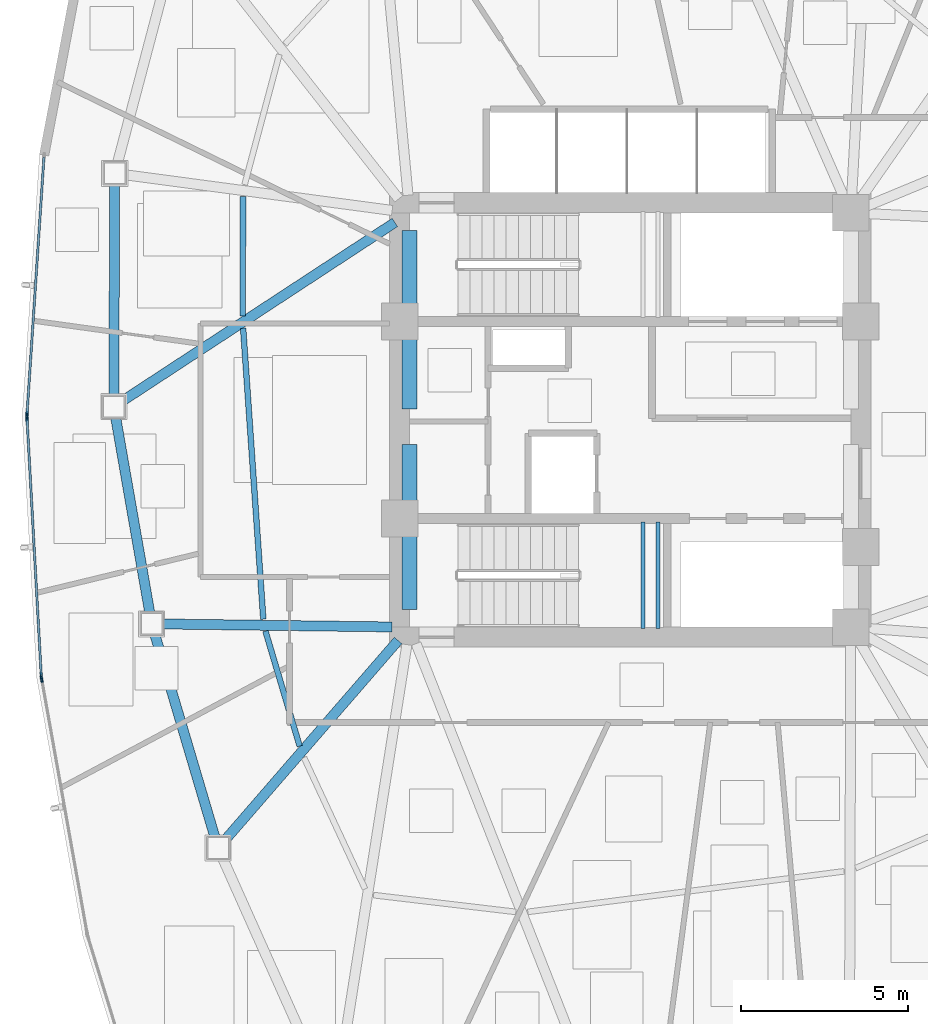
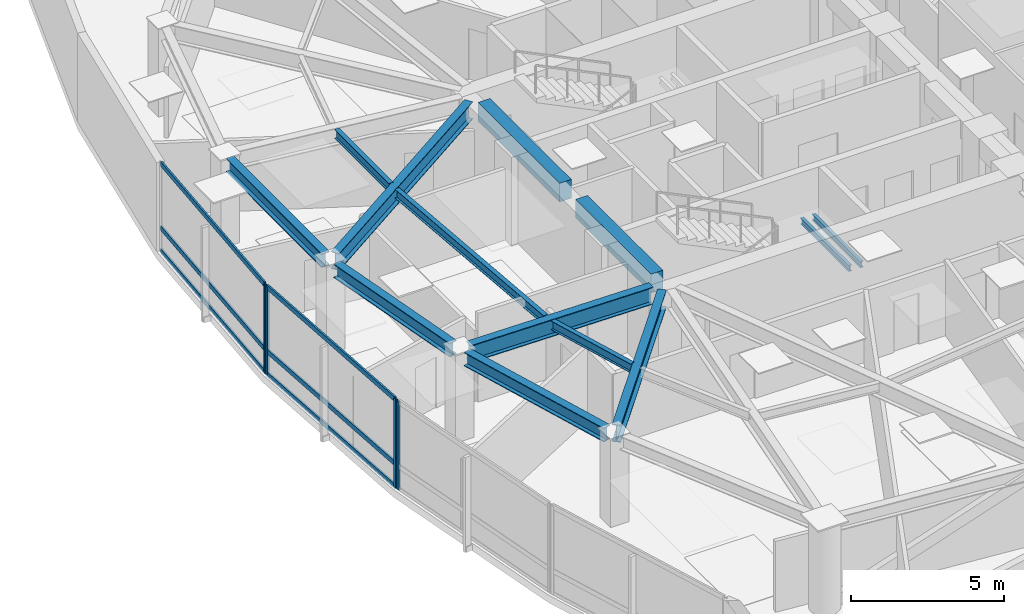
# One storey, part 4 of 18: 13 beams, 10 members, 3 elements without a shape of their own.
"""IFC4 building model written with IfcOpenShell, lengths in metres."""

from ifc_helpers import new_model, si_unit, direction, frame, origin, origin_2d, place, context, subcontext, project, spatial, rectangle, hollow_rectangle, i_section, extrude, source, transform, mapped, material, layer, layer_set, material_profile, profile_set, type_object, type_shapes, element, aggregate, save


model = new_model("IFC4")

# Units and contexts
model_context = context("Model", 3, precision=1e-05, world=origin(), true_north=direction((0.0, 1.0)))
body_context = subcontext(model_context, "Body", "Model", "MODEL_VIEW")
ifc_project = project(units=[si_unit("LENGTHUNIT", "METRE"), si_unit("AREAUNIT", "SQUARE_METRE"), si_unit("VOLUMEUNIT", "CUBIC_METRE"), si_unit("PLANEANGLEUNIT", "RADIAN"), si_unit("MASSUNIT", "GRAM", prefix="KILO")], contexts=[model_context])

# Site, building, storey
site_placement = place(None, origin())
site = spatial("IfcSite", under=ifc_project, at=site_placement, CompositionType="ELEMENT")
building_placement = place(site_placement, origin())
building = spatial("IfcBuilding", under=site, at=building_placement, Name="Tavelor Broadcast Tower", CompositionType="ELEMENT")
storey_placement = place(building_placement, frame((0.0, 0.0, 157.949951171875)))
storey = spatial("IfcBuildingStorey", under=building, at=storey_placement, Name="L37", CompositionType="ELEMENT", Elevation=157.949951171875)

# Beams
ifc_material_1 = material(Name="Concrete C40/50", Category="concrete")
ifc_material_profile_1 = material_profile(ifc_material_1, rectangle(XDim=0.449951171875, YDim=0.75, at=origin_2d()), Name="RC 450x750")
ifc_profile_set_1 = profile_set([ifc_material_profile_1], Name="Concrete C40/50")
beam_type_1 = type_object("IfcBeamType", Name="Basement Core Trim Beam 450x750", PredefinedType="BEAM", material=ifc_profile_set_1)
beam_1_placement = place(storey_placement, frame((43.39990234375, 45.327880859375, 3.175048828125), z_axis=(0.0, 1.0, 0.0), x_axis=(-1.0, 0.0, 0.0)))
element("IfcBeam", 1, at=beam_1_placement, inside=storey, type_object=beam_type_1, Name="L37 Core West-N Tie Girder", PredefinedType="BEAM", context=body_context, shape_type="SweptSolid", body=[
    extrude(rectangle(XDim=0.449951171875, YDim=0.75, at=origin_2d()), origin(), (0.0, 0.0, 1.0), 5.34423828125),
])
beam_2_placement = place(storey_placement, frame((43.39990234375, 39.327880859375, 3.175048828125), z_axis=(0.0, 1.0, 0.0), x_axis=(-1.0, 0.0, 0.0)))
element("IfcBeam", 2, at=beam_2_placement, inside=storey, type_object=beam_type_1, Name="L37 Core West-S Tie Girder", PredefinedType="BEAM", context=body_context, shape_type="SweptSolid", body=[
    extrude(rectangle(XDim=0.449951171875, YDim=0.75, at=origin_2d()), origin(), (0.0, 0.0, 1.0), 4.944091796875),
])
ifc_material_2 = material(Name="Steel S355", Category="steel")
ifc_material_profile_2 = material_profile(ifc_material_2, i_section(OverallWidth=0.169921875, OverallDepth=0.360107421875, WebThickness=0.008056640625, FlangeThickness=0.0126953125, at=origin_2d()), Name="IPE 360")
ifc_profile_set_2 = profile_set([ifc_material_profile_2], Name="Steel S355")
beam_type_2 = type_object("IfcBeamType", Name="Composite Floor Joist T3 IPE 360", PredefinedType="JOIST", material=ifc_profile_set_2)
beam_3_placement = place(storey_placement, frame((38.413818359375, 51.685302734375, 3.3701171875), z_axis=(-0.002320654457, -0.999997307278, 0.0), x_axis=(0.999997307278, -0.002320654457, 0.0)))
element("IfcBeam", 3, at=beam_3_placement, inside=storey, type_object=beam_type_2, Name="L37 Secondary Composite Floor Joist 03", PredefinedType="JOIST", context=body_context, shape_type="SweptSolid", body=[
    extrude(i_section(OverallWidth=0.169921875, OverallDepth=0.360107421875, WebThickness=0.008056640625, FlangeThickness=0.0126953125, at=origin_2d()), origin(), (0.0, 0.0, 1.0), 3.576904296875),
])
beam_4_placement = place(storey_placement, frame((38.41748046875, 47.74658203125, 3.3701171875), z_axis=(0.069100565304, -0.997609699168, 0.0), x_axis=(0.997609699168, 0.069100565304, 0.0)))
element("IfcBeam", 4, at=beam_4_placement, inside=storey, type_object=beam_type_2, Name="L37 Secondary Composite Floor Joist 04", PredefinedType="JOIST", context=body_context, shape_type="SweptSolid", body=[
    extrude(i_section(OverallWidth=0.169921875, OverallDepth=0.360107421875, WebThickness=0.008056640625, FlangeThickness=0.0126953125, at=origin_2d()), origin(), (0.0, 0.0, 1.0), 8.730224609375),
])
beam_5_placement = place(storey_placement, frame((39.084716796875, 38.68310546875, 3.3701171875), z_axis=(0.285203072184, -0.958467113477, 0.0), x_axis=(0.958467113477, 0.285203072184, 0.0)))
element("IfcBeam", 5, at=beam_5_placement, inside=storey, type_object=beam_type_2, Name="L37 Secondary Composite Floor Joist 05", PredefinedType="JOIST", context=body_context, shape_type="SweptSolid", body=[
    extrude(i_section(OverallWidth=0.169921875, OverallDepth=0.360107421875, WebThickness=0.008056640625, FlangeThickness=0.0126953125, at=origin_2d()), origin(), (0.0, 0.0, 1.0), 3.593505859375),
])
ifc_material_profile_3 = material_profile(ifc_material_2, i_section(OverallWidth=0.300048828125, OverallDepth=0.550048828125, WebThickness=0.014892578125, FlangeThickness=0.029052734375, at=origin_2d()), Name="HEB 550")
ifc_profile_set_3 = profile_set([ifc_material_profile_3], Name="Steel S355")
beam_type_3 = type_object("IfcBeamType", Name="Perimeter Spandrel Beam T3 HEB 550", PredefinedType="SPANDREL", material=ifc_profile_set_3)
beam_6_placement = place(storey_placement, frame((34.57373046875, 52.043212890625, 3.275146484375), z_axis=(-0.00410245019, -0.999991584916, 0.0), x_axis=(0.999991584916, -0.00410245019, 0.0)))
element("IfcBeam", 6, at=beam_6_placement, inside=storey, type_object=beam_type_3, Name="L37 Framed-Tube Ring Spandrel 03", PredefinedType="SPANDREL", context=body_context, shape_type="SweptSolid", body=[
    extrude(i_section(OverallWidth=0.300048828125, OverallDepth=0.550048828125, WebThickness=0.014892578125, FlangeThickness=0.029052734375, at=origin_2d()), origin(), (0.0, 0.0, 1.0), 6.30810546875),
])
beam_7_placement = place(storey_placement, frame((34.604248046875, 45.068115234375, 3.275146484375), z_axis=(0.17197754126, -0.985100870623, 0.0), x_axis=(0.985100870623, 0.17197754126, 0.0)))
element("IfcBeam", 7, at=beam_7_placement, inside=storey, type_object=beam_type_3, Name="L37 Framed-Tube Ring Spandrel 04", PredefinedType="SPANDREL", context=body_context, shape_type="SweptSolid", body=[
    extrude(i_section(OverallWidth=0.300048828125, OverallDepth=0.550048828125, WebThickness=0.014892578125, FlangeThickness=0.029052734375, at=origin_2d()), origin(), (0.0, 0.0, 1.0), 5.925537109375),
])
beam_8_placement = place(storey_placement, frame((35.7763671875, 38.57763671875, 3.275146484375), z_axis=(0.283996338182, -0.958825364652, 0.0), x_axis=(0.958825364652, 0.283996338182, 0.0)))
element("IfcBeam", 8, at=beam_8_placement, inside=storey, type_object=beam_type_3, Name="L37 Framed-Tube Ring Spandrel 05", PredefinedType="SPANDREL", context=body_context, shape_type="SweptSolid", body=[
    extrude(i_section(OverallWidth=0.300048828125, OverallDepth=0.550048828125, WebThickness=0.014892578125, FlangeThickness=0.029052734375, at=origin_2d()), origin(), (0.0, 0.0, 1.0), 6.325439453125),
])
ifc_material_profile_4 = material_profile(ifc_material_2, i_section(OverallWidth=0.300048828125, OverallDepth=0.68994140625, WebThickness=0.014404296875, FlangeThickness=0.027099609375, at=origin_2d()), Name="HEA 700")
ifc_profile_set_4 = profile_set([ifc_material_profile_4], Name="Steel S355")
beam_type_4 = type_object("IfcBeamType", Name="Radial Floor Girder T3 HEA 700", PredefinedType="BEAM", material=ifc_profile_set_4)
beam_9_placement = place(storey_placement, frame((42.95849609375, 50.91064453125, 3.205078125), z_axis=(-0.836455571638, -0.548034740391, 0.0), x_axis=(0.548034740391, -0.836455571638, 0.0)))
element("IfcBeam", 9, at=beam_9_placement, inside=storey, type_object=beam_type_4, Name="L37 Radial Primary Floor Girder 04", PredefinedType="BEAM", context=body_context, shape_type="SweptSolid", body=[
    extrude(i_section(OverallWidth=0.300048828125, OverallDepth=0.68994140625, WebThickness=0.014404296875, FlangeThickness=0.027099609375, at=origin_2d()), origin(), (0.0, 0.0, 1.0), 9.720947265625),
])
beam_10_placement = place(storey_placement, frame((42.8720703125, 38.806884765625, 3.205078125), z_axis=(-0.999916440376, 0.012927190963, 0.0), x_axis=(-0.012927190963, -0.999916440376, 0.0)))
element("IfcBeam", 10, at=beam_10_placement, inside=storey, type_object=beam_type_4, Name="L37 Radial Primary Floor Girder 05", PredefinedType="BEAM", context=body_context, shape_type="SweptSolid", body=[
    extrude(i_section(OverallWidth=0.300048828125, OverallDepth=0.68994140625, WebThickness=0.014404296875, FlangeThickness=0.027099609375, at=origin_2d()), origin(), (0.0, 0.0, 1.0), 6.85546875),
])
beam_11_placement = place(storey_placement, frame((43.05419921875, 38.401123046875, 3.205078125), z_axis=(-0.655166261537, -0.755484725024, 0.0), x_axis=(0.755484725024, -0.655166261537, 0.0)))
element("IfcBeam", 11, at=beam_11_placement, inside=storey, type_object=beam_type_4, Name="L37 Radial Primary Floor Girder 06", PredefinedType="BEAM", context=body_context, shape_type="SweptSolid", body=[
    extrude(i_section(OverallWidth=0.300048828125, OverallDepth=0.68994140625, WebThickness=0.014404296875, FlangeThickness=0.027099609375, at=origin_2d()), origin(), (0.0, 0.0, 1.0), 7.885009765625),
])
ifc_material_profile_5 = material_profile(ifc_material_2, i_section(OverallWidth=0.1201171875, OverallDepth=0.239990234375, WebThickness=0.006103515625, FlangeThickness=0.009765625, at=origin_2d()), Name="IPE 240")
ifc_profile_set_5 = profile_set([ifc_material_profile_5], Name="Steel S355")
beam_type_5 = type_object("IfcBeamType", Name="Stairwell Landing Support Trimmer Beam IPE240", PredefinedType="BEAM", material=ifc_profile_set_5)
for number, where, z_axis, x_axis, name in (
    (12, (50.385009765625, 38.760009765625, 1.610107421875), (0.0, 1.0, 0.0), (-1.0, 0.0, 0.0), "L37 Stair Landing Support Beam 321"),
    (13, (50.824951171875, 38.760009765625, 1.610107421875), (0.0, 1.0, 0.0), (-1.0, 0.0, 0.0), "L37 Stair Landing Support Beam 322"),
):
    element("IfcBeam", number, at=place(storey_placement, frame(where, z_axis=z_axis, x_axis=x_axis)), inside=storey, type_object=beam_type_5, Name=name, PredefinedType="BEAM", context=body_context, shape_type="SweptSolid", body=[
        extrude(i_section(OverallWidth=0.1201171875, OverallDepth=0.239990234375, WebThickness=0.006103515625, FlangeThickness=0.009765625, at=origin_2d()), origin(), (0.0, 0.0, 1.0), 3.179931640625),
    ])

# Curtain wall, member
ifc_material_3 = material(Name="Architectural Anodized Aluminium", Category="aluminium")
ifc_layer = layer(ifc_material_3, 0.18994140625)
ifc_layer_set = layer_set([ifc_layer], Name="Architectural Anodized Aluminium")
curtain_wall_type = type_object("IfcCurtainWallType", Name="Tower Mid-Zone Acoustic Curtain Wall CW03", PredefinedType="NOTDEFINED", material=ifc_layer_set)
curtain_wall_1_placement = place(storey_placement, origin())
curtain_wall_1 = element("IfcCurtainWall", 14, at=curtain_wall_1_placement, inside=storey, type_object=curtain_wall_type, Name="L37 Curtain Wall CW03 Run 385", PredefinedType="NOTDEFINED")
ifc_material_profile_6 = material_profile(ifc_material_3, hollow_rectangle(XDim=0.068115234375, YDim=0.18994140625, WallThickness=0.02197265625, at=origin_2d()), Name="RHS 68x190x22")
ifc_profile_set_6 = profile_set([ifc_material_profile_6], Name="Architectural Anodized Aluminium")
member_type_1 = type_object("IfcMemberType", Name="CW03 Extruded Aluminium Mullion 68x190", PredefinedType="MULLION", material=ifc_profile_set_6)
shared_shape_1 = source(origin(), body_context, "Body", "SweptSolid", [
    extrude(hollow_rectangle(XDim=0.068115234375, YDim=0.18994140625, WallThickness=0.02197265625, at=origin_2d()), origin(), (0.0, 0.0, 1.0), 3.550048828125),
])
type_shapes(member_type_1, [shared_shape_1])
member_1_placement = place(storey_placement, frame((31.948486328125, 45.162109375, 0.0), z_axis=(0.0, 0.0, 1.0), x_axis=(0.997829691462, -0.065847603119, 0.0)))
member_1 = element("IfcMember", 15, at=member_1_placement, type_object=member_type_1, Name="CW03 mullion 2", PredefinedType="MULLION", context=body_context, shape_type="MappedRepresentation", body=[
    mapped(shared_shape_1, transform((0.0, 0.0, 0.0), scale=1.0)),
])

# Curtain wall, members
curtain_wall_2_placement = place(storey_placement, origin())
curtain_wall_2 = element("IfcCurtainWall", 16, at=curtain_wall_2_placement, inside=storey, type_object=curtain_wall_type, Name="L37 Curtain Wall CW03 Run 386", PredefinedType="NOTDEFINED")
member_2_placement = place(storey_placement, frame((31.947998046875, 45.064453125, 0.0), z_axis=(0.0, 0.0, 1.0), x_axis=(0.998464726282, 0.055391248145, 0.0)))
member_2 = element("IfcMember", 17, at=member_2_placement, type_object=member_type_1, Name="CW03 mullion 1", PredefinedType="MULLION", context=body_context, shape_type="MappedRepresentation", body=[
    mapped(shared_shape_1, transform((0.0, 0.0, 0.0), scale=1.0)),
])
member_3_placement = place(storey_placement, frame((32.376708984375, 37.33984375, 0.0), z_axis=(0.0, 0.0, 1.0), x_axis=(0.998464726282, 0.055391248145, 0.0)))
member_3 = element("IfcMember", 18, at=member_3_placement, type_object=member_type_1, Name="CW03 mullion 2", PredefinedType="MULLION", context=body_context, shape_type="MappedRepresentation", body=[
    mapped(shared_shape_1, transform((0.0, 0.0, 0.0), scale=1.0)),
])

# Curtain wall, member
curtain_wall_3_placement = place(storey_placement, origin())
curtain_wall_3 = element("IfcCurtainWall", 19, at=curtain_wall_3_placement, inside=storey, type_object=curtain_wall_type, Name="L37 Curtain Wall CW03 Run 387", PredefinedType="NOTDEFINED")
member_4_placement = place(storey_placement, frame((32.387939453125, 37.24267578125, 0.0), z_axis=(0.0, 0.0, 1.0), x_axis=(0.984424566127, 0.175807490189, 0.0)))
member_4 = element("IfcMember", 20, at=member_4_placement, type_object=member_type_1, Name="CW03 mullion 1", PredefinedType="MULLION", context=body_context, shape_type="MappedRepresentation", body=[
    mapped(shared_shape_1, transform((0.0, 0.0, 0.0), scale=1.0)),
])
aggregate(curtain_wall_3, [member_4])

# Member
ifc_material_profile_7 = material_profile(ifc_material_3, hollow_rectangle(XDim=0.068115234375, YDim=0.18994140625, WallThickness=0.02197265625, at=origin_2d()), Name="RHS 68x190x22")
ifc_profile_set_7 = profile_set([ifc_material_profile_7], Name="Architectural Anodized Aluminium")
member_type_2 = type_object("IfcMemberType", Name="CW03 Extruded Aluminium Transom 68x190", PredefinedType="USERDEFINED", material=ifc_profile_set_7)
shared_shape_2 = source(origin(), body_context, "Body", "SweptSolid", [
    extrude(hollow_rectangle(XDim=0.068115234375, YDim=0.18994140625, WallThickness=0.02197265625, at=origin_2d()), origin(), (0.0, 0.0, 1.0), 7.68359375),
])
member_5_placement = place(storey_placement, frame((32.456787109375, 52.863037109375, 0.033935546875), z_axis=(-0.065867349659, -0.997828388175, 0.0), x_axis=(0.997828388175, -0.065867349659, 0.0)))
member_5 = element("IfcMember", 21, at=member_5_placement, type_object=member_type_2, Name="CW03 transom 1.1", ObjectType="TRANSOM", PredefinedType="USERDEFINED", context=body_context, shape_type="MappedRepresentation", body=[
    mapped(shared_shape_2, transform((0.0, 0.0, 0.0), scale=1.0)),
])

member_6_placement = place(storey_placement, frame((32.456787109375, 52.863037109375, 0.949951171875), z_axis=(-0.065867349659, -0.997828388175, 0.0), x_axis=(0.997828388175, -0.065867349659, 0.0)))
member_6 = element("IfcMember", 22, at=member_6_placement, type_object=member_type_2, Name="CW03 transom 1.2", ObjectType="TRANSOM", PredefinedType="USERDEFINED", context=body_context, shape_type="MappedRepresentation", body=[
    mapped(shared_shape_2, transform((0.0, 0.0, 0.0), scale=1.0)),
])

member_7_placement = place(storey_placement, frame((32.456787109375, 52.863037109375, 3.51611328125), z_axis=(-0.065867349659, -0.997828388175, 0.0), x_axis=(0.997828388175, -0.065867349659, 0.0)))
member_7 = element("IfcMember", 23, at=member_7_placement, type_object=member_type_2, Name="CW03 transom 1.3", ObjectType="TRANSOM", PredefinedType="USERDEFINED", context=body_context, shape_type="MappedRepresentation", body=[
    mapped(shared_shape_2, transform((0.0, 0.0, 0.0), scale=1.0)),
])

aggregate(curtain_wall_1, [member_1, member_5, member_6, member_7])

shared_shape_3 = source(origin(), body_context, "Body", "SweptSolid", [
    extrude(hollow_rectangle(XDim=0.068115234375, YDim=0.18994140625, WallThickness=0.02197265625, at=origin_2d()), origin(), (0.0, 0.0, 1.0), 7.66845703125),
])
type_shapes(member_type_2, [shared_shape_2, shared_shape_3])
member_8_placement = place(storey_placement, frame((31.949951171875, 45.030517578125, 0.033935546875), z_axis=(0.055395962268, -0.998464464748, 0.0), x_axis=(0.998464464748, 0.055395962268, 0.0)))
member_8 = element("IfcMember", 24, at=member_8_placement, type_object=member_type_2, Name="CW03 transom 1.1", ObjectType="TRANSOM", PredefinedType="USERDEFINED", context=body_context, shape_type="MappedRepresentation", body=[
    mapped(shared_shape_3, transform((0.0, 0.0, 0.0), scale=1.0)),
])

member_9_placement = place(storey_placement, frame((31.949951171875, 45.030517578125, 0.949951171875), z_axis=(0.055395962268, -0.998464464748, 0.0), x_axis=(0.998464464748, 0.055395962268, 0.0)))
member_9 = element("IfcMember", 25, at=member_9_placement, type_object=member_type_2, Name="CW03 transom 1.2", ObjectType="TRANSOM", PredefinedType="USERDEFINED", context=body_context, shape_type="MappedRepresentation", body=[
    mapped(shared_shape_3, transform((0.0, 0.0, 0.0), scale=1.0)),
])

member_10_placement = place(storey_placement, frame((31.949951171875, 45.030517578125, 3.51611328125), z_axis=(0.055395962268, -0.998464464748, 0.0), x_axis=(0.998464464748, 0.055395962268, 0.0)))
member_10 = element("IfcMember", 26, at=member_10_placement, type_object=member_type_2, Name="CW03 transom 1.3", ObjectType="TRANSOM", PredefinedType="USERDEFINED", context=body_context, shape_type="MappedRepresentation", body=[
    mapped(shared_shape_3, transform((0.0, 0.0, 0.0), scale=1.0)),
])

aggregate(curtain_wall_2, [member_2, member_3, member_8, member_9, member_10])

save(model, "model.ifc")
